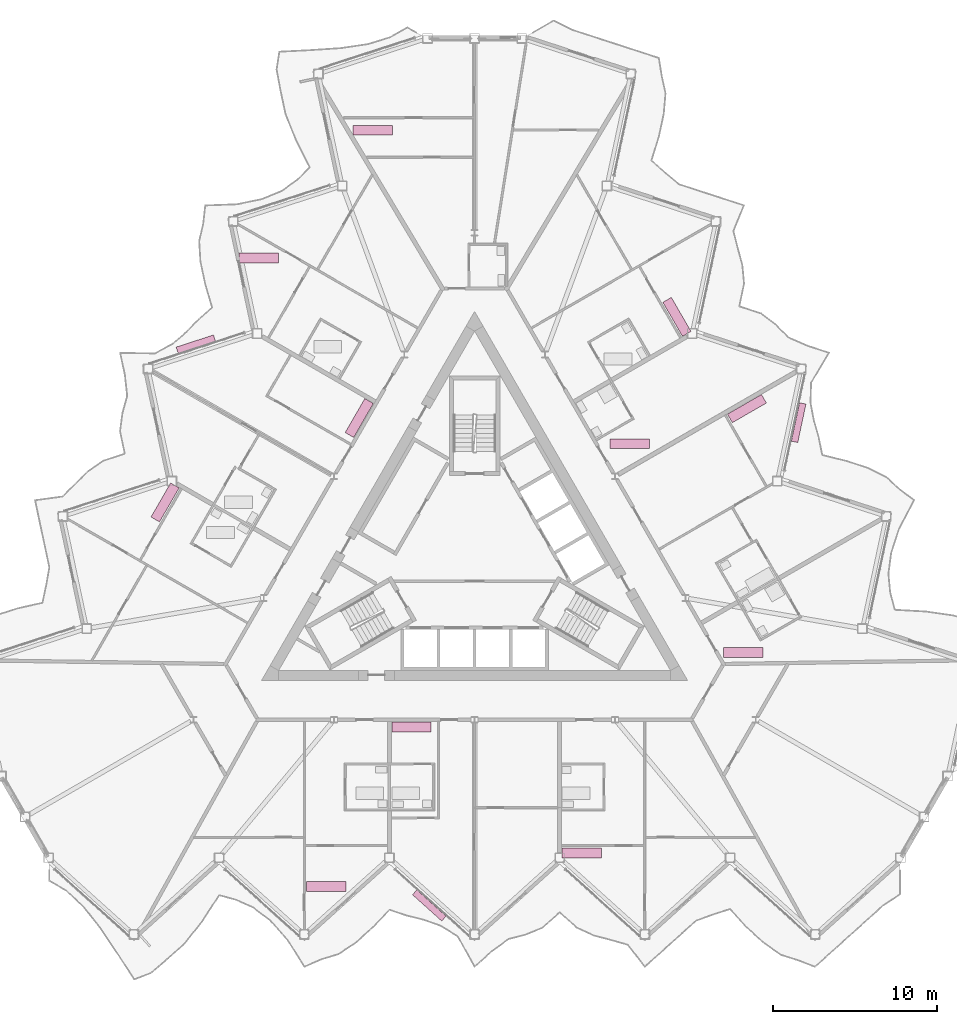
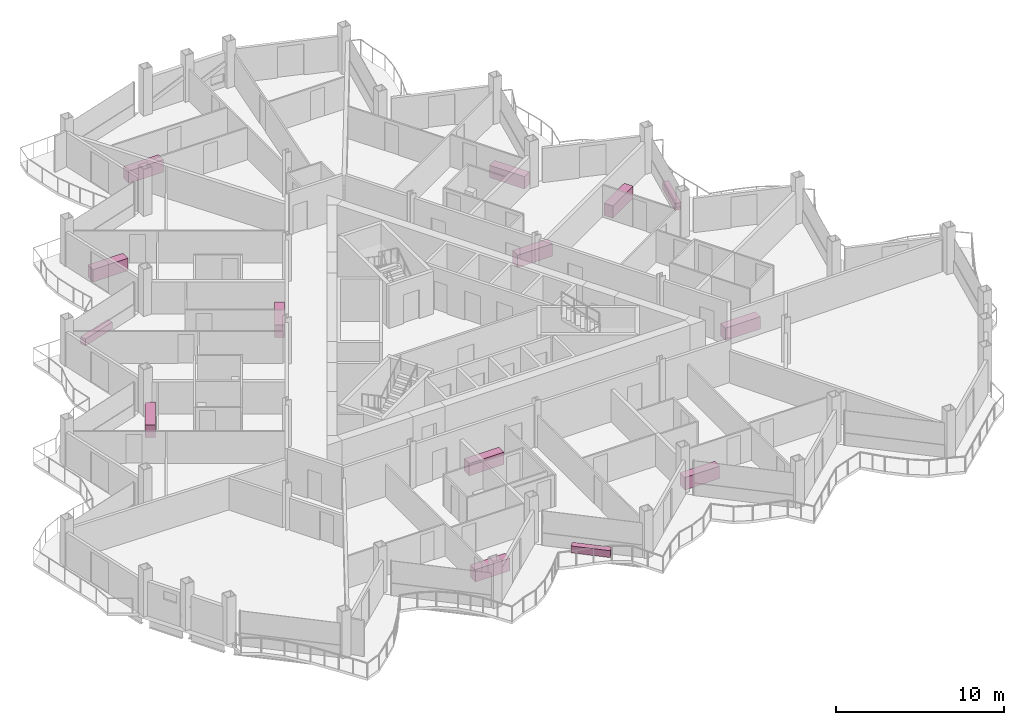
# One storey, part 26 of 26: 14 furniture elements.
"""IFC4 building model written with IfcOpenShell, lengths in metres."""

from ifc_helpers import new_model, si_unit, direction, frame, origin, origin_2d, place, context, subcontext, project, spatial, rectangle, extrude, material, type_object, element, save


model = new_model("IFC4")

# Units and contexts
model_context = context("Model", 3, precision=1e-05, world=origin(), true_north=direction((0.0, 1.0)))
body_context = subcontext(model_context, "Body", "Model", "MODEL_VIEW")
ifc_project = project(units=[si_unit("LENGTHUNIT", "METRE"), si_unit("AREAUNIT", "SQUARE_METRE"), si_unit("VOLUMEUNIT", "CUBIC_METRE"), si_unit("PLANEANGLEUNIT", "RADIAN"), si_unit("MASSUNIT", "GRAM", prefix="KILO")], contexts=[model_context])

# Site, building, storey
site_placement = place(None, origin())
site = spatial("IfcSite", under=ifc_project, at=site_placement, CompositionType="ELEMENT")
building_placement = place(site_placement, origin())
building = spatial("IfcBuilding", under=site, at=building_placement, Name="Cormorant Prow Tower", CompositionType="ELEMENT")
storey_placement = place(building_placement, frame((0.0, 0.0, 322.199951171875)))
storey = spatial("IfcBuildingStorey", under=building, at=storey_placement, Name="L71", CompositionType="ELEMENT", Elevation=322.199951171875)

# Furniture
ifc_material_1 = material(Name="Terracotta", Category="masonry")
furniture_type_1 = type_object("IfcFurnitureType", Name="Balcony planter 2400x400x500", AssemblyPlace="NOTDEFINED", PredefinedType="USERDEFINED", material=ifc_material_1)
for number, where, z_axis, x_axis, name in (
    (1, (-2.7646484375, -21.24267578125, 0.0), (0.0, 0.0, 1.0), (0.74314478215, -0.669130654479, 0.0), "Balcony planter S04"),
    (2, (19.779052734375, 8.22705078125, 0.0), (0.0, 0.0, 1.0), (0.207911691091, 0.978147600676, 0.0), "Balcony planter ENE04"),
    (3, (-17.014404296875, 13.015625, 0.0), (0.0, 0.0, 1.0), (-0.951056507348, -0.309017021913, 0.0), "Balcony planter WNW04"),
):
    element("IfcFurniture", number, at=place(storey_placement, frame(where, z_axis=z_axis, x_axis=x_axis)), inside=storey, type_object=furniture_type_1, Name=name, ObjectType="PLANTER", PredefinedType="USERDEFINED", context=body_context, shape_type="SweptSolid", body=[
        extrude(rectangle(XDim=2.39990234375, YDim=0.39990234375, at=origin_2d()), origin(), (0.0, 0.0, 1.0), 0.5),
    ])
ifc_material_2 = material(Name="Timber joinery", Category="wood")
furniture_type_2 = type_object("IfcFurnitureType", Name="Kitchen counter 2400x600", AssemblyPlace="NOTDEFINED", PredefinedType="NOTDEFINED", material=ifc_material_2)
for number, where, z_axis, x_axis, name in (
    (4, (-9.04443359375, -20.08203125, 0.0), (0.0, 0.0, 1.0), (1.0, 0.0, 0.0), "Kitchen counter"),
    (5, (-3.849609375, -10.3505859375, 0.0), (0.0, 0.0, 1.0), (1.0, 0.0, 0.0), "Kitchen counter"),
    (6, (6.539794921875, -18.03662109375, 0.0), (0.0, 0.0, 1.0), (1.0, 0.0, 0.0), "Kitchen counter"),
    (7, (16.40283203125, -5.8095703125, 0.0), (0.0, 0.0, 1.0), (1.0, 0.0, 0.0), "Kitchen counter"),
    (8, (16.622314453125, 9.0830078125, 0.0), (0.0, 0.0, 1.0), (0.866025403784, 0.5, 0.0), "Kitchen counter"),
    (9, (9.4609375, 6.9326171875, 0.0), (0.0, 0.0, 1.0), (1.0, 0.0, 0.0), "Kitchen counter"),
    (10, (12.350341796875, 14.681884765625, 0.0), (0.0, 0.0, 1.0), (-0.5, 0.866025403784, 0.0), "Kitchen counter"),
    (11, (-6.224853515625, 26.074462890625, 0.0), (0.0, 0.0, 1.0), (1.0, 0.0, 0.0), "Kitchen counter"),
    (12, (-13.17919921875, 18.2744140625, 0.0), (0.0, 0.0, 1.0), (1.0, 0.0, 0.0), "Kitchen counter"),
    (13, (-7.0390625, 8.50927734375, 0.0), (0.0, 0.0, 1.0), (-0.5, -0.866025403784, 0.0), "Kitchen counter"),
    (14, (-18.89013671875, 3.354736328125, 0.0), (0.0, 0.0, 1.0), (-0.5, -0.866025403784, 0.0), "Kitchen counter"),
):
    element("IfcFurniture", number, at=place(storey_placement, frame(where, z_axis=z_axis, x_axis=x_axis)), inside=storey, type_object=furniture_type_2, Name=name, PredefinedType="NOTDEFINED", context=body_context, shape_type="SweptSolid", body=[
        extrude(rectangle(XDim=2.39990234375, YDim=0.60009765625, at=origin_2d()), origin(), (0.0, 0.0, 1.0), 0.89990234375),
    ])

save(model, "model.ifc")
